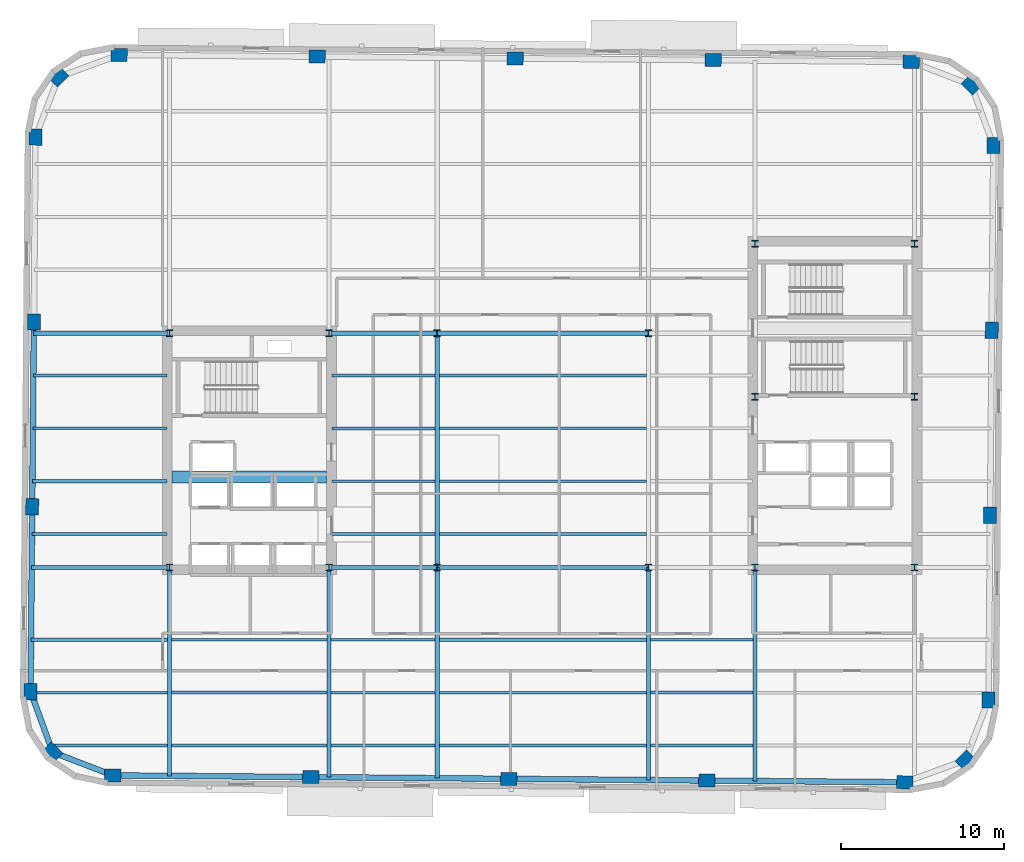
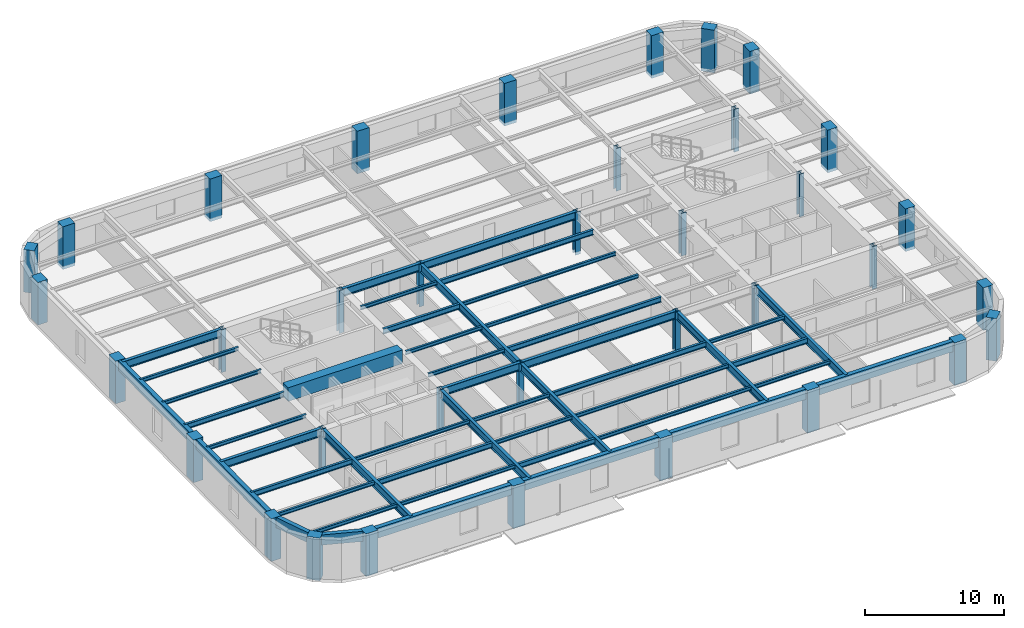
# One storey, part 1 of 11: 48 beams, 36 columns.
"""IFC4 building model written with IfcOpenShell, lengths in metres."""

from ifc_helpers import new_model, si_unit, direction, frame, origin, origin_2d, place, context, subcontext, project, spatial, rectangle, hollow_rectangle, i_section, extrude, material, material_profile, profile_set, type_object, element, save


model = new_model("IFC4")

# Units and contexts
model_context = context("Model", 3, precision=1e-05, world=origin(), true_north=direction((0.0, 1.0)))
body_context = subcontext(model_context, "Body", "Model", "MODEL_VIEW")
ifc_project = project(units=[si_unit("LENGTHUNIT", "METRE"), si_unit("AREAUNIT", "SQUARE_METRE"), si_unit("VOLUMEUNIT", "CUBIC_METRE"), si_unit("PLANEANGLEUNIT", "RADIAN"), si_unit("MASSUNIT", "GRAM", prefix="KILO")], contexts=[model_context])

# Site, building, storey
site_placement = place(None, origin())
site = spatial("IfcSite", under=ifc_project, at=site_placement, CompositionType="ELEMENT")
building_placement = place(site_placement, origin())
building = spatial("IfcBuilding", under=site, at=building_placement, Name="Kolvaren Arena Tower", CompositionType="ELEMENT")
storey_placement = place(building_placement, frame((0.0, 0.0, 173.449951171875)))
storey = spatial("IfcBuildingStorey", under=building, at=storey_placement, Name="L41", CompositionType="ELEMENT", Elevation=173.449951171875)

# Columns
ifc_material_1 = material(Name="Precast concrete C60/75", Category="concrete")
ifc_material_profile_1 = material_profile(ifc_material_1, rectangle(XDim=1.0, YDim=0.800048828125, at=origin_2d()), Name="RC-1000x800")
ifc_profile_set_1 = profile_set([ifc_material_profile_1], Name="Precast concrete C60/75")
column_type_1 = type_object("IfcColumnType", Name="EXCOL-Z3", PredefinedType="COLUMN", material=ifc_profile_set_1)
for number, where, z_axis, x_axis, name in (
    (1, (11.0576171875, 6.663330078125, -0.27001953125), (0.0, 0.0, 1.0), (0.999961923064, -0.008726535498, 0.0), "Exoskeleton Perimeter Column 01 (L41)"),
    (2, (23.232177734375, 6.55712890625, -0.27001953125), (0.0, 0.0, 1.0), (0.999961923064, -0.008726535498, 0.0), "Exoskeleton Perimeter Column 02 (L41)"),
    (3, (35.40673828125, 6.45068359375, -0.27001953125), (0.0, 0.0, 1.0), (0.999961923064, -0.008726535498, 0.0), "Exoskeleton Perimeter Column 03 (L41)"),
    (4, (47.581298828125, 6.344482421875, -0.27001953125), (0.0, 0.0, 1.0), (0.999961923064, -0.008726535498, 0.0), "Exoskeleton Perimeter Column 04 (L41)"),
    (5, (59.755859375, 6.23828125, -0.27001953125), (0.0, 0.0, 1.0), (0.999961923064, -0.008726535498, 0.0), "Exoskeleton Perimeter Column 05 (L41)"),
    (6, (63.4765625, 7.59716796875, -0.27001953125), (0.0, 0.0, 1.0), (0.713250449154, 0.7009092643, 0.0), "Exoskeleton Perimeter Column 06 (L41)"),
    (7, (64.900146484375, 11.293701171875, -0.27001953125), (0.0, 0.0, 1.0), (0.008726535498, 0.999961923064, 0.0), "Exoskeleton Perimeter Column 07 (L41)"),
    (8, (64.999267578125, 22.659912109375, -0.27001953125), (0.0, 0.0, 1.0), (0.008726535498, 0.999961923064, 0.0), "Exoskeleton Perimeter Column 08 (L41)"),
    (9, (65.098388671875, 34.026123046875, -0.27001953125), (0.0, 0.0, 1.0), (0.008726535498, 0.999961923064, 0.0), "Exoskeleton Perimeter Column 09 (L41)"),
    (10, (65.19775390625, 45.392333984375, -0.27001953125), (0.0, 0.0, 1.0), (0.008726535498, 0.999961923064, 0.0), "Exoskeleton Perimeter Column 10 (L41)"),
    (11, (63.8388671875, 49.113037109375, -0.27001953125), (0.0, 0.0, 1.0), (-0.7009092643, 0.713250449154, 0.0), "Exoskeleton Perimeter Column 11 (L41)"),
    (12, (60.142333984375, 50.53662109375, -0.27001953125), (0.0, 0.0, 1.0), (0.999961923064, -0.008726535498, 0.0), "Exoskeleton Perimeter Column 12 (L41)"),
    (13, (47.9677734375, 50.642822265625, -0.27001953125), (0.0, 0.0, 1.0), (0.999961923064, -0.008726535498, 0.0), "Exoskeleton Perimeter Column 13 (L41)"),
    (14, (35.793212890625, 50.749267578125, -0.27001953125), (0.0, 0.0, 1.0), (0.999961923064, -0.008726535498, 0.0), "Exoskeleton Perimeter Column 14 (L41)"),
    (15, (23.618896484375, 50.85546875, -0.27001953125), (0.0, 0.0, 1.0), (0.999961923064, -0.008726535498, 0.0), "Exoskeleton Perimeter Column 15 (L41)"),
    (16, (11.444091796875, 50.961669921875, -0.27001953125), (0.0, 0.0, 1.0), (0.999961923064, -0.008726535498, 0.0), "Exoskeleton Perimeter Column 16 (L41)"),
    (17, (7.723388671875, 49.602783203125, -0.27001953125), (0.0, 0.0, 1.0), (0.713250449154, 0.7009092643, 0.0), "Exoskeleton Perimeter Column 17 (L41)"),
    (18, (6.2998046875, 45.90625, -0.27001953125), (0.0, 0.0, 1.0), (0.008726535498, 0.999961923064, 0.0), "Exoskeleton Perimeter Column 18 (L41)"),
    (19, (6.20068359375, 34.5400390625, -0.27001953125), (0.0, 0.0, 1.0), (0.008726535498, 0.999961923064, 0.0), "Exoskeleton Perimeter Column 19 (L41)"),
    (20, (6.1015625, 23.173828125, -0.27001953125), (0.0, 0.0, 1.0), (0.008726535498, 0.999961923064, 0.0), "Exoskeleton Perimeter Column 20 (L41)"),
    (21, (6.002197265625, 11.8076171875, -0.27001953125), (0.0, 0.0, 1.0), (0.008726535498, 0.999961923064, 0.0), "Exoskeleton Perimeter Column 21 (L41)"),
    (22, (7.361083984375, 8.0869140625, -0.27001953125), (0.0, 0.0, 1.0), (-0.7009092643, 0.713250449154, 0.0), "Exoskeleton Perimeter Column 22 (L41)"),
):
    element("IfcColumn", number, at=place(storey_placement, frame(where, z_axis=z_axis, x_axis=x_axis)), inside=storey, type_object=column_type_1, Name=name, PredefinedType="COLUMN", context=body_context, shape_type="SweptSolid", body=[
        extrude(rectangle(XDim=1.0, YDim=0.800048828125, at=origin_2d()), origin(), (0.0, 0.0, 1.0), 3.75),
    ])
ifc_material_2 = material(Name="Steel ASTM A913 Grade 65", Category="steel")
ifc_material_profile_2 = material_profile(ifc_material_2, i_section(OverallWidth=0.406005859375, OverallDepth=0.416015625, WebThickness=0.02978515625, FlangeThickness=0.048095703125, FilletRadius=0.02001953125, at=origin_2d()), Name="W360x382")
ifc_profile_set_2 = profile_set([ifc_material_profile_2], Name="Steel ASTM A913 Grade 65")
column_type_2 = type_object("IfcColumnType", Name="SCOL-Z3", PredefinedType="COLUMN", material=ifc_profile_set_2)
for number, where, z_axis, x_axis, name in (
    (23, (14.550048828125, 19.449951171875, -0.27001953125), (0.0, 0.0, 1.0), (1.0, 0.0, 0.0), "Core Boundary Column WC-SW (L41)"),
    (24, (24.35009765625, 19.449951171875, -0.27001953125), (0.0, 0.0, 1.0), (1.0, 0.0, 0.0), "Core Boundary Column WC-SE (L41)"),
    (25, (14.550048828125, 33.85009765625, -0.27001953125), (0.0, 0.0, 1.0), (1.0, 0.0, 0.0), "Core Boundary Column WC-NW (L41)"),
    (26, (24.35009765625, 33.85009765625, -0.27001953125), (0.0, 0.0, 1.0), (1.0, 0.0, 0.0), "Core Boundary Column WC-NE (L41)"),
    (27, (50.550048828125, 19.449951171875, -0.27001953125), (0.0, 0.0, 1.0), (1.0, 0.0, 0.0), "Core Boundary Column EC-SW (L41)"),
    (28, (60.35009765625, 19.449951171875, -0.27001953125), (0.0, 0.0, 1.0), (1.0, 0.0, 0.0), "Core Boundary Column EC-SE (L41)"),
    (29, (50.550048828125, 29.949951171875, -0.27001953125), (0.0, 0.0, 1.0), (1.0, 0.0, 0.0), "Core Boundary Column EC-MW (L41)"),
    (30, (60.35009765625, 29.949951171875, -0.27001953125), (0.0, 0.0, 1.0), (1.0, 0.0, 0.0), "Core Boundary Column EC-ME (L41)"),
    (31, (50.550048828125, 39.35009765625, -0.27001953125), (0.0, 0.0, 1.0), (1.0, 0.0, 0.0), "Core Boundary Column EC-NW (L41)"),
    (32, (60.35009765625, 39.35009765625, -0.27001953125), (0.0, 0.0, 1.0), (1.0, 0.0, 0.0), "Core Boundary Column EC-NE (L41)"),
    (33, (31.0, 19.449951171875, -0.27001953125), (0.0, 0.0, 1.0), (1.0, 0.0, 0.0), "Interior Gravity Column TC-SW (L41)"),
    (34, (44.0, 19.449951171875, -0.27001953125), (0.0, 0.0, 1.0), (1.0, 0.0, 0.0), "Interior Gravity Column TC-SE (L41)"),
    (35, (31.0, 33.85009765625, -0.27001953125), (0.0, 0.0, 1.0), (1.0, 0.0, 0.0), "Interior Gravity Column TC-NW (L41)"),
    (36, (44.0, 33.85009765625, -0.27001953125), (0.0, 0.0, 1.0), (1.0, 0.0, 0.0), "Interior Gravity Column TC-NE (L41)"),
):
    element("IfcColumn", number, at=place(storey_placement, frame(where, z_axis=z_axis, x_axis=x_axis)), inside=storey, type_object=column_type_2, Name=name, PredefinedType="COLUMN", context=body_context, shape_type="SweptSolid", body=[
        extrude(i_section(OverallWidth=0.406005859375, OverallDepth=0.416015625, WebThickness=0.02978515625, FlangeThickness=0.048095703125, FilletRadius=0.02001953125, at=origin_2d()), origin(), (0.0, 0.0, 1.0), 3.75),
    ])

# Beams
ifc_material_3 = material(Name="Steel CSA G40.21 350W", Category="steel")
ifc_material_profile_3 = material_profile(ifc_material_3, i_section(OverallWidth=0.193115234375, OverallDepth=0.462890625, WebThickness=0.0107421875, FlangeThickness=0.0205078125, FilletRadius=0.012939453125, at=origin_2d()), Name="W460x113")
ifc_profile_set_3 = profile_set([ifc_material_profile_3], Name="Steel CSA G40.21 350W")
beam_type_1 = type_object("IfcBeamType", Name="BEAM-F2", PredefinedType="BEAM", material=ifc_profile_set_3)
beam_1_placement = place(storey_placement, frame((24.4775390625, 8.5, 3.24853515625), z_axis=(1.0, 0.0, 0.0), x_axis=(0.0, 1.0, 0.0)))
element("IfcBeam", 37, at=beam_1_placement, inside=storey, type_object=beam_type_1, Name="Composite Floor Beam (L41)", PredefinedType="BEAM", context=body_context, shape_type="SweptSolid", body=[
    extrude(i_section(OverallWidth=0.193115234375, OverallDepth=0.462890625, WebThickness=0.0107421875, FlangeThickness=0.0205078125, FilletRadius=0.012939453125, at=origin_2d()), origin(), (0.0, 0.0, 1.0), 6.39501953125),
])
beam_2_placement = place(storey_placement, frame((14.677490234375, 11.75, 3.24853515625), z_axis=(1.0, 0.0, 0.0), x_axis=(0.0, 1.0, 0.0)))
element("IfcBeam", 38, at=beam_2_placement, inside=storey, type_object=beam_type_1, Name="Composite Floor Beam (L41)", PredefinedType="BEAM", context=body_context, shape_type="SweptSolid", body=[
    extrude(i_section(OverallWidth=0.193115234375, OverallDepth=0.462890625, WebThickness=0.0107421875, FlangeThickness=0.0205078125, FilletRadius=0.012939453125, at=origin_2d()), origin(), (0.0, 0.0, 1.0), 9.544921875),
])
beam_3_placement = place(storey_placement, frame((44.12744140625, 11.75, 3.24853515625), z_axis=(1.0, 0.0, 0.0), x_axis=(0.0, 1.0, 0.0)))
element("IfcBeam", 39, at=beam_3_placement, inside=storey, type_object=beam_type_1, Name="Composite Floor Beam (L41)", PredefinedType="BEAM", context=body_context, shape_type="SweptSolid", body=[
    extrude(i_section(OverallWidth=0.193115234375, OverallDepth=0.462890625, WebThickness=0.0107421875, FlangeThickness=0.0205078125, FilletRadius=0.012939453125, at=origin_2d()), origin(), (0.0, 0.0, 1.0), 6.295166015625),
])
beam_4_placement = place(storey_placement, frame((6.0302734375, 15.0, 3.24853515625), z_axis=(1.0, 0.0, 0.0), x_axis=(0.0, 1.0, 0.0)))
element("IfcBeam", 40, at=beam_4_placement, inside=storey, type_object=beam_type_1, Name="Composite Floor Beam (L41)", PredefinedType="BEAM", context=body_context, shape_type="SweptSolid", body=[
    extrude(i_section(OverallWidth=0.193115234375, OverallDepth=0.462890625, WebThickness=0.0107421875, FlangeThickness=0.0205078125, FilletRadius=0.012939453125, at=origin_2d()), origin(), (0.0, 0.0, 1.0), 8.392333984375),
])
for number, where, z_axis, x_axis, name in (
    (41, (31.12744140625, 15.0, 3.24853515625), (1.0, 0.0, 0.0), (0.0, 1.0, 0.0), "Composite Floor Beam (L41)"),
    (42, (31.12744140625, 21.5, 3.24853515625), (1.0, 0.0, 0.0), (0.0, 1.0, 0.0), "Composite Floor Beam (L41)"),
):
    element("IfcBeam", number, at=place(storey_placement, frame(where, z_axis=z_axis, x_axis=x_axis)), inside=storey, type_object=beam_type_1, Name=name, PredefinedType="BEAM", context=body_context, shape_type="SweptSolid", body=[
        extrude(i_section(OverallWidth=0.193115234375, OverallDepth=0.462890625, WebThickness=0.0107421875, FlangeThickness=0.0205078125, FilletRadius=0.012939453125, at=origin_2d()), origin(), (0.0, 0.0, 1.0), 12.7451171875),
    ])
beam_5_placement = place(storey_placement, frame((6.115234375, 24.75, 3.24853515625), z_axis=(1.0, 0.0, 0.0), x_axis=(0.0, 1.0, 0.0)))
element("IfcBeam", 43, at=beam_5_placement, inside=storey, type_object=beam_type_1, Name="Composite Floor Beam (L41)", PredefinedType="BEAM", context=body_context, shape_type="SweptSolid", body=[
    extrude(i_section(OverallWidth=0.193115234375, OverallDepth=0.462890625, WebThickness=0.0107421875, FlangeThickness=0.0205078125, FilletRadius=0.012939453125, at=origin_2d()), origin(), (0.0, 0.0, 1.0), 8.2646484375),
])
beam_6_placement = place(storey_placement, frame((24.52001953125, 28.0, 3.24853515625), z_axis=(1.0, 0.0, 0.0), x_axis=(0.0, 1.0, 0.0)))
element("IfcBeam", 44, at=beam_6_placement, inside=storey, type_object=beam_type_1, Name="Composite Floor Beam (L41)", PredefinedType="BEAM", context=body_context, shape_type="SweptSolid", body=[
    extrude(i_section(OverallWidth=0.193115234375, OverallDepth=0.462890625, WebThickness=0.0107421875, FlangeThickness=0.0205078125, FilletRadius=0.012939453125, at=origin_2d()), origin(), (0.0, 0.0, 1.0), 6.3525390625),
])
beam_7_placement = place(storey_placement, frame((31.12744140625, 31.25, 3.24853515625), z_axis=(1.0, 0.0, 0.0), x_axis=(0.0, 1.0, 0.0)))
element("IfcBeam", 45, at=beam_7_placement, inside=storey, type_object=beam_type_1, Name="Composite Floor Beam (L41)", PredefinedType="BEAM", context=body_context, shape_type="SweptSolid", body=[
    extrude(i_section(OverallWidth=0.193115234375, OverallDepth=0.462890625, WebThickness=0.0107421875, FlangeThickness=0.0205078125, FilletRadius=0.012939453125, at=origin_2d()), origin(), (0.0, 0.0, 1.0), 12.7451171875),
])
ifc_material_4 = material(Name="Concrete 60 MPa", Category="concrete")
ifc_material_profile_4 = material_profile(ifc_material_4, rectangle(XDim=0.75, YDim=1.199951171875, at=origin_2d()), Name="RC-750x1200")
ifc_profile_set_4 = profile_set([ifc_material_profile_4], Name="Concrete 60 MPa")
beam_type_2 = type_object("IfcBeamType", Name="CB-CORE-2", PredefinedType="BEAM", material=ifc_profile_set_4)
beam_8_placement = place(storey_placement, frame((14.699951171875, 25.0, 3.150146484375), z_axis=(1.0, 0.0, 0.0), x_axis=(0.0, 1.0, 0.0)))
element("IfcBeam", 46, at=beam_8_placement, inside=storey, type_object=beam_type_2, Name="West Core Coupling Beam (L41)", PredefinedType="BEAM", context=body_context, shape_type="SweptSolid", body=[
    extrude(rectangle(XDim=0.75, YDim=1.199951171875, at=origin_2d()), origin(), (0.0, 0.0, 1.0), 9.5),
])
ifc_material_profile_5 = material_profile(ifc_material_3, i_section(OverallWidth=0.2548828125, OverallDepth=0.695068359375, WebThickness=0.01708984375, FlangeThickness=0.02978515625, FilletRadius=0.01611328125, at=origin_2d()), Name="W690x217")
ifc_profile_set_5 = profile_set([ifc_material_profile_5], Name="Steel CSA G40.21 350W")
beam_type_3 = type_object("IfcBeamType", Name="GIRD-T2", PredefinedType="BEAM", material=ifc_profile_set_5)
beam_9_placement = place(storey_placement, frame((6.069091796875, 19.449951171875, 3.132568359375), z_axis=(1.0, 0.0, 0.0), x_axis=(0.0, 1.0, 0.0)))
element("IfcBeam", 47, at=beam_9_placement, inside=storey, type_object=beam_type_3, Name="Primary Floor Girder (L41)", PredefinedType="BEAM", context=body_context, shape_type="SweptSolid", body=[
    extrude(i_section(OverallWidth=0.2548828125, OverallDepth=0.695068359375, WebThickness=0.01708984375, FlangeThickness=0.02978515625, FilletRadius=0.01611328125, at=origin_2d()), origin(), (0.0, 0.0, 1.0), 8.350830078125),
])
beam_10_placement = place(storey_placement, frame((24.47998046875, 19.449951171875, 3.132568359375), z_axis=(1.0, 0.0, 0.0), x_axis=(0.0, 1.0, 0.0)))
element("IfcBeam", 48, at=beam_10_placement, inside=storey, type_object=beam_type_3, Name="Primary Floor Girder (L41)", PredefinedType="BEAM", context=body_context, shape_type="SweptSolid", body=[
    extrude(i_section(OverallWidth=0.2548828125, OverallDepth=0.695068359375, WebThickness=0.01708984375, FlangeThickness=0.02978515625, FilletRadius=0.01611328125, at=origin_2d()), origin(), (0.0, 0.0, 1.0), 6.52001953125),
])
beam_11_placement = place(storey_placement, frame((31.0, 19.449951171875, 3.132568359375), z_axis=(1.0, 0.0, 0.0), x_axis=(0.0, 1.0, 0.0)))
element("IfcBeam", 49, at=beam_11_placement, inside=storey, type_object=beam_type_3, Name="Primary Floor Girder (L41)", PredefinedType="BEAM", context=body_context, shape_type="SweptSolid", body=[
    extrude(i_section(OverallWidth=0.2548828125, OverallDepth=0.695068359375, WebThickness=0.01708984375, FlangeThickness=0.02978515625, FilletRadius=0.01611328125, at=origin_2d()), origin(), (0.0, 0.0, 1.0), 13.0),
])
beam_12_placement = place(storey_placement, frame((6.194580078125, 33.85009765625, 3.132568359375), z_axis=(1.0, 0.0, 0.0), x_axis=(0.0, 1.0, 0.0)))
element("IfcBeam", 50, at=beam_12_placement, inside=storey, type_object=beam_type_3, Name="Primary Floor Girder (L41)", PredefinedType="BEAM", context=body_context, shape_type="SweptSolid", body=[
    extrude(i_section(OverallWidth=0.2548828125, OverallDepth=0.695068359375, WebThickness=0.01708984375, FlangeThickness=0.02978515625, FilletRadius=0.01611328125, at=origin_2d()), origin(), (0.0, 0.0, 1.0), 8.225341796875),
])
beam_13_placement = place(storey_placement, frame((24.47998046875, 33.85009765625, 3.132568359375), z_axis=(1.0, 0.0, 0.0), x_axis=(0.0, 1.0, 0.0)))
element("IfcBeam", 51, at=beam_13_placement, inside=storey, type_object=beam_type_3, Name="Primary Floor Girder (L41)", PredefinedType="BEAM", context=body_context, shape_type="SweptSolid", body=[
    extrude(i_section(OverallWidth=0.2548828125, OverallDepth=0.695068359375, WebThickness=0.01708984375, FlangeThickness=0.02978515625, FilletRadius=0.01611328125, at=origin_2d()), origin(), (0.0, 0.0, 1.0), 6.52001953125),
])
beam_14_placement = place(storey_placement, frame((31.0, 33.85009765625, 3.132568359375), z_axis=(1.0, 0.0, 0.0), x_axis=(0.0, 1.0, 0.0)))
element("IfcBeam", 52, at=beam_14_placement, inside=storey, type_object=beam_type_3, Name="Primary Floor Girder (L41)", PredefinedType="BEAM", context=body_context, shape_type="SweptSolid", body=[
    extrude(i_section(OverallWidth=0.2548828125, OverallDepth=0.695068359375, WebThickness=0.01708984375, FlangeThickness=0.02978515625, FilletRadius=0.01611328125, at=origin_2d()), origin(), (0.0, 0.0, 1.0), 13.0),
])
beam_15_placement = place(storey_placement, frame((14.550048828125, 6.6328125, 3.132568359375), z_axis=(0.0, 1.0, 0.0), x_axis=(-1.0, 0.0, 0.0)))
element("IfcBeam", 53, at=beam_15_placement, inside=storey, type_object=beam_type_3, Name="Primary Floor Girder (L41)", PredefinedType="BEAM", context=body_context, shape_type="SweptSolid", body=[
    extrude(i_section(OverallWidth=0.2548828125, OverallDepth=0.695068359375, WebThickness=0.01708984375, FlangeThickness=0.02978515625, FilletRadius=0.01611328125, at=origin_2d()), origin(), (0.0, 0.0, 1.0), 12.687255859375),
])
beam_16_placement = place(storey_placement, frame((24.35009765625, 6.54736328125, 3.132568359375), z_axis=(0.0, 1.0, 0.0), x_axis=(-1.0, 0.0, 0.0)))
element("IfcBeam", 54, at=beam_16_placement, inside=storey, type_object=beam_type_3, Name="Primary Floor Girder (L41)", PredefinedType="BEAM", context=body_context, shape_type="SweptSolid", body=[
    extrude(i_section(OverallWidth=0.2548828125, OverallDepth=0.695068359375, WebThickness=0.01708984375, FlangeThickness=0.02978515625, FilletRadius=0.01611328125, at=origin_2d()), origin(), (0.0, 0.0, 1.0), 12.772705078125),
])
beam_17_placement = place(storey_placement, frame((31.0, 6.4892578125, 3.132568359375), z_axis=(0.0, 1.0, 0.0), x_axis=(-1.0, 0.0, 0.0)))
element("IfcBeam", 55, at=beam_17_placement, inside=storey, type_object=beam_type_3, Name="Primary Floor Girder (L41)", PredefinedType="BEAM", context=body_context, shape_type="SweptSolid", body=[
    extrude(i_section(OverallWidth=0.2548828125, OverallDepth=0.695068359375, WebThickness=0.01708984375, FlangeThickness=0.02978515625, FilletRadius=0.01611328125, at=origin_2d()), origin(), (0.0, 0.0, 1.0), 12.960693359375),
])
beam_18_placement = place(storey_placement, frame((31.0, 19.449951171875, 3.132568359375), z_axis=(0.0, 1.0, 0.0), x_axis=(-1.0, 0.0, 0.0)))
element("IfcBeam", 56, at=beam_18_placement, inside=storey, type_object=beam_type_3, Name="Primary Floor Girder (L41)", PredefinedType="BEAM", context=body_context, shape_type="SweptSolid", body=[
    extrude(i_section(OverallWidth=0.2548828125, OverallDepth=0.695068359375, WebThickness=0.01708984375, FlangeThickness=0.02978515625, FilletRadius=0.01611328125, at=origin_2d()), origin(), (0.0, 0.0, 1.0), 14.400146484375),
])
beam_19_placement = place(storey_placement, frame((44.0, 6.375732421875, 3.132568359375), z_axis=(0.0, 1.0, 0.0), x_axis=(-1.0, 0.0, 0.0)))
element("IfcBeam", 57, at=beam_19_placement, inside=storey, type_object=beam_type_3, Name="Primary Floor Girder (L41)", PredefinedType="BEAM", context=body_context, shape_type="SweptSolid", body=[
    extrude(i_section(OverallWidth=0.2548828125, OverallDepth=0.695068359375, WebThickness=0.01708984375, FlangeThickness=0.02978515625, FilletRadius=0.01611328125, at=origin_2d()), origin(), (0.0, 0.0, 1.0), 13.07421875),
])
beam_20_placement = place(storey_placement, frame((50.550048828125, 6.318603515625, 3.132568359375), z_axis=(0.0, 1.0, 0.0), x_axis=(-1.0, 0.0, 0.0)))
element("IfcBeam", 58, at=beam_20_placement, inside=storey, type_object=beam_type_3, Name="Primary Floor Girder (L41)", PredefinedType="BEAM", context=body_context, shape_type="SweptSolid", body=[
    extrude(i_section(OverallWidth=0.2548828125, OverallDepth=0.695068359375, WebThickness=0.01708984375, FlangeThickness=0.02978515625, FilletRadius=0.01611328125, at=origin_2d()), origin(), (0.0, 0.0, 1.0), 13.00146484375),
])
ifc_material_profile_6 = material_profile(ifc_material_3, i_section(OverallWidth=0.1669921875, OverallDepth=0.31689453125, WebThickness=0.007568359375, FlangeThickness=0.01318359375, FilletRadius=0.010009765625, at=origin_2d()), Name="W310x52")
ifc_profile_set_6 = profile_set([ifc_material_profile_6], Name="Steel CSA G40.21 350W")
beam_type_4 = type_object("IfcBeamType", Name="JOIST-02", PredefinedType="JOIST", material=ifc_profile_set_6)
beam_21_placement = place(storey_placement, frame((7.210205078125, 8.5, 3.321533203125), z_axis=(1.0, 0.0, 0.0), x_axis=(0.0, 1.0, 0.0)))
element("IfcBeam", 59, at=beam_21_placement, inside=storey, type_object=beam_type_4, Name="Composite Floor Joist (L41)", PredefinedType="JOIST", context=body_context, shape_type="SweptSolid", body=[
    extrude(i_section(OverallWidth=0.1669921875, OverallDepth=0.31689453125, WebThickness=0.007568359375, FlangeThickness=0.01318359375, FilletRadius=0.010009765625, at=origin_2d()), origin(), (0.0, 0.0, 1.0), 7.21240234375),
])
beam_22_placement = place(storey_placement, frame((14.677490234375, 8.5, 3.321533203125), z_axis=(1.0, 0.0, 0.0), x_axis=(0.0, 1.0, 0.0)))
element("IfcBeam", 60, at=beam_22_placement, inside=storey, type_object=beam_type_4, Name="Composite Floor Joist (L41)", PredefinedType="JOIST", context=body_context, shape_type="SweptSolid", body=[
    extrude(i_section(OverallWidth=0.1669921875, OverallDepth=0.31689453125, WebThickness=0.007568359375, FlangeThickness=0.01318359375, FilletRadius=0.010009765625, at=origin_2d()), origin(), (0.0, 0.0, 1.0), 9.544921875),
])
beam_23_placement = place(storey_placement, frame((31.12744140625, 8.5, 3.321533203125), z_axis=(1.0, 0.0, 0.0), x_axis=(0.0, 1.0, 0.0)))
element("IfcBeam", 61, at=beam_23_placement, inside=storey, type_object=beam_type_4, Name="Composite Floor Joist (L41)", PredefinedType="JOIST", context=body_context, shape_type="SweptSolid", body=[
    extrude(i_section(OverallWidth=0.1669921875, OverallDepth=0.31689453125, WebThickness=0.007568359375, FlangeThickness=0.01318359375, FilletRadius=0.010009765625, at=origin_2d()), origin(), (0.0, 0.0, 1.0), 12.7451171875),
])
beam_24_placement = place(storey_placement, frame((44.12744140625, 8.5, 3.321533203125), z_axis=(1.0, 0.0, 0.0), x_axis=(0.0, 1.0, 0.0)))
element("IfcBeam", 62, at=beam_24_placement, inside=storey, type_object=beam_type_4, Name="Composite Floor Joist (L41)", PredefinedType="JOIST", context=body_context, shape_type="SweptSolid", body=[
    extrude(i_section(OverallWidth=0.1669921875, OverallDepth=0.31689453125, WebThickness=0.007568359375, FlangeThickness=0.01318359375, FilletRadius=0.010009765625, at=origin_2d()), origin(), (0.0, 0.0, 1.0), 6.295166015625),
])
beam_25_placement = place(storey_placement, frame((6.023193359375, 11.75, 3.321533203125), z_axis=(1.0, 0.0, 0.0), x_axis=(0.0, 1.0, 0.0)))
element("IfcBeam", 63, at=beam_25_placement, inside=storey, type_object=beam_type_4, Name="Composite Floor Joist (L41)", PredefinedType="JOIST", context=body_context, shape_type="SweptSolid", body=[
    extrude(i_section(OverallWidth=0.1669921875, OverallDepth=0.31689453125, WebThickness=0.007568359375, FlangeThickness=0.01318359375, FilletRadius=0.010009765625, at=origin_2d()), origin(), (0.0, 0.0, 1.0), 8.3994140625),
])
beam_26_placement = place(storey_placement, frame((24.4775390625, 11.75, 3.321533203125), z_axis=(1.0, 0.0, 0.0), x_axis=(0.0, 1.0, 0.0)))
element("IfcBeam", 64, at=beam_26_placement, inside=storey, type_object=beam_type_4, Name="Composite Floor Joist (L41)", PredefinedType="JOIST", context=body_context, shape_type="SweptSolid", body=[
    extrude(i_section(OverallWidth=0.1669921875, OverallDepth=0.31689453125, WebThickness=0.007568359375, FlangeThickness=0.01318359375, FilletRadius=0.010009765625, at=origin_2d()), origin(), (0.0, 0.0, 1.0), 6.39501953125),
])
beam_27_placement = place(storey_placement, frame((31.12744140625, 11.75, 3.321533203125), z_axis=(1.0, 0.0, 0.0), x_axis=(0.0, 1.0, 0.0)))
element("IfcBeam", 65, at=beam_27_placement, inside=storey, type_object=beam_type_4, Name="Composite Floor Joist (L41)", PredefinedType="JOIST", context=body_context, shape_type="SweptSolid", body=[
    extrude(i_section(OverallWidth=0.1669921875, OverallDepth=0.31689453125, WebThickness=0.007568359375, FlangeThickness=0.01318359375, FilletRadius=0.010009765625, at=origin_2d()), origin(), (0.0, 0.0, 1.0), 12.7451171875),
])
beam_28_placement = place(storey_placement, frame((14.677490234375, 15.0, 3.321533203125), z_axis=(1.0, 0.0, 0.0), x_axis=(0.0, 1.0, 0.0)))
element("IfcBeam", 66, at=beam_28_placement, inside=storey, type_object=beam_type_4, Name="Composite Floor Joist (L41)", PredefinedType="JOIST", context=body_context, shape_type="SweptSolid", body=[
    extrude(i_section(OverallWidth=0.1669921875, OverallDepth=0.31689453125, WebThickness=0.007568359375, FlangeThickness=0.01318359375, FilletRadius=0.010009765625, at=origin_2d()), origin(), (0.0, 0.0, 1.0), 9.544921875),
])
beam_29_placement = place(storey_placement, frame((24.4775390625, 15.0, 3.321533203125), z_axis=(1.0, 0.0, 0.0), x_axis=(0.0, 1.0, 0.0)))
element("IfcBeam", 67, at=beam_29_placement, inside=storey, type_object=beam_type_4, Name="Composite Floor Joist (L41)", PredefinedType="JOIST", context=body_context, shape_type="SweptSolid", body=[
    extrude(i_section(OverallWidth=0.1669921875, OverallDepth=0.31689453125, WebThickness=0.007568359375, FlangeThickness=0.01318359375, FilletRadius=0.010009765625, at=origin_2d()), origin(), (0.0, 0.0, 1.0), 6.39501953125),
])
beam_30_placement = place(storey_placement, frame((44.12744140625, 15.0, 3.321533203125), z_axis=(1.0, 0.0, 0.0), x_axis=(0.0, 1.0, 0.0)))
element("IfcBeam", 68, at=beam_30_placement, inside=storey, type_object=beam_type_4, Name="Composite Floor Joist (L41)", PredefinedType="JOIST", context=body_context, shape_type="SweptSolid", body=[
    extrude(i_section(OverallWidth=0.1669921875, OverallDepth=0.31689453125, WebThickness=0.007568359375, FlangeThickness=0.01318359375, FilletRadius=0.010009765625, at=origin_2d()), origin(), (0.0, 0.0, 1.0), 6.295166015625),
])
beam_31_placement = place(storey_placement, frame((6.0869140625, 21.5, 3.321533203125), z_axis=(1.0, 0.0, 0.0), x_axis=(0.0, 1.0, 0.0)))
element("IfcBeam", 69, at=beam_31_placement, inside=storey, type_object=beam_type_4, Name="Composite Floor Joist (L41)", PredefinedType="JOIST", context=body_context, shape_type="SweptSolid", body=[
    extrude(i_section(OverallWidth=0.1669921875, OverallDepth=0.31689453125, WebThickness=0.007568359375, FlangeThickness=0.01318359375, FilletRadius=0.010009765625, at=origin_2d()), origin(), (0.0, 0.0, 1.0), 8.29296875),
])
for number, where, z_axis, x_axis, name in (
    (70, (24.52001953125, 21.5, 3.321533203125), (1.0, 0.0, 0.0), (0.0, 1.0, 0.0), "Composite Floor Joist (L41)"),
    (71, (24.52001953125, 24.75, 3.321533203125), (1.0, 0.0, 0.0), (0.0, 1.0, 0.0), "Composite Floor Joist (L41)"),
):
    element("IfcBeam", number, at=place(storey_placement, frame(where, z_axis=z_axis, x_axis=x_axis)), inside=storey, type_object=beam_type_4, Name=name, PredefinedType="JOIST", context=body_context, shape_type="SweptSolid", body=[
        extrude(i_section(OverallWidth=0.1669921875, OverallDepth=0.31689453125, WebThickness=0.007568359375, FlangeThickness=0.01318359375, FilletRadius=0.010009765625, at=origin_2d()), origin(), (0.0, 0.0, 1.0), 6.3525390625),
    ])
beam_32_placement = place(storey_placement, frame((31.12744140625, 24.75, 3.321533203125), z_axis=(1.0, 0.0, 0.0), x_axis=(0.0, 1.0, 0.0)))
element("IfcBeam", 72, at=beam_32_placement, inside=storey, type_object=beam_type_4, Name="Composite Floor Joist (L41)", PredefinedType="JOIST", context=body_context, shape_type="SweptSolid", body=[
    extrude(i_section(OverallWidth=0.1669921875, OverallDepth=0.31689453125, WebThickness=0.007568359375, FlangeThickness=0.01318359375, FilletRadius=0.010009765625, at=origin_2d()), origin(), (0.0, 0.0, 1.0), 12.7451171875),
])
beam_33_placement = place(storey_placement, frame((6.1435546875, 28.0, 3.321533203125), z_axis=(1.0, 0.0, 0.0), x_axis=(0.0, 1.0, 0.0)))
element("IfcBeam", 73, at=beam_33_placement, inside=storey, type_object=beam_type_4, Name="Composite Floor Joist (L41)", PredefinedType="JOIST", context=body_context, shape_type="SweptSolid", body=[
    extrude(i_section(OverallWidth=0.1669921875, OverallDepth=0.31689453125, WebThickness=0.007568359375, FlangeThickness=0.01318359375, FilletRadius=0.010009765625, at=origin_2d()), origin(), (0.0, 0.0, 1.0), 8.236328125),
])
beam_34_placement = place(storey_placement, frame((31.12744140625, 28.0, 3.321533203125), z_axis=(1.0, 0.0, 0.0), x_axis=(0.0, 1.0, 0.0)))
element("IfcBeam", 74, at=beam_34_placement, inside=storey, type_object=beam_type_4, Name="Composite Floor Joist (L41)", PredefinedType="JOIST", context=body_context, shape_type="SweptSolid", body=[
    extrude(i_section(OverallWidth=0.1669921875, OverallDepth=0.31689453125, WebThickness=0.007568359375, FlangeThickness=0.01318359375, FilletRadius=0.010009765625, at=origin_2d()), origin(), (0.0, 0.0, 1.0), 12.7451171875),
])
beam_35_placement = place(storey_placement, frame((6.172119140625, 31.25, 3.321533203125), z_axis=(1.0, 0.0, 0.0), x_axis=(0.0, 1.0, 0.0)))
element("IfcBeam", 75, at=beam_35_placement, inside=storey, type_object=beam_type_4, Name="Composite Floor Joist (L41)", PredefinedType="JOIST", context=body_context, shape_type="SweptSolid", body=[
    extrude(i_section(OverallWidth=0.1669921875, OverallDepth=0.31689453125, WebThickness=0.007568359375, FlangeThickness=0.01318359375, FilletRadius=0.010009765625, at=origin_2d()), origin(), (0.0, 0.0, 1.0), 8.207763671875),
])
beam_36_placement = place(storey_placement, frame((24.52001953125, 31.25, 3.321533203125), z_axis=(1.0, 0.0, 0.0), x_axis=(0.0, 1.0, 0.0)))
element("IfcBeam", 76, at=beam_36_placement, inside=storey, type_object=beam_type_4, Name="Composite Floor Joist (L41)", PredefinedType="JOIST", context=body_context, shape_type="SweptSolid", body=[
    extrude(i_section(OverallWidth=0.1669921875, OverallDepth=0.31689453125, WebThickness=0.007568359375, FlangeThickness=0.01318359375, FilletRadius=0.010009765625, at=origin_2d()), origin(), (0.0, 0.0, 1.0), 6.3525390625),
])
ifc_material_5 = material(Name="Steel CSA G40.21 350WT", Category="steel")
ifc_material_profile_7 = material_profile(ifc_material_5, hollow_rectangle(XDim=0.35009765625, YDim=0.89990234375, WallThickness=0.02001953125, at=origin_2d()), Name="HSS 900x350x20")
ifc_profile_set_7 = profile_set([ifc_material_profile_7], Name="Steel CSA G40.21 350WT")
beam_type_5 = type_object("IfcBeamType", Name="SPAND-01", PredefinedType="SPANDREL", material=ifc_profile_set_7)
for number, where, z_axis, x_axis, name in (
    (77, (11.0576171875, 6.663330078125, 3.030029296875), (0.99996195503, -0.008722871848, 0.0), (0.008722871848, 0.99996195503, 0.0), "Perimeter Spandrel Beam (L41)"),
    (78, (23.232177734375, 6.55712890625, 3.030029296875), (0.999961779919, -0.008742922896, 0.0), (0.008742922896, 0.999961779919, 0.0), "Perimeter Spandrel Beam (L41)"),
    (79, (35.40673828125, 6.45068359375, 3.030029296875), (0.99996195503, -0.008722871848, 0.0), (0.008722871848, 0.99996195503, 0.0), "Perimeter Spandrel Beam (L41)"),
    (80, (47.581298828125, 6.344482421875, 3.030029296875), (0.99996195503, -0.008722871848, 0.0), (0.008722871848, 0.99996195503, 0.0), "Perimeter Spandrel Beam (L41)"),
):
    element("IfcBeam", number, at=place(storey_placement, frame(where, z_axis=z_axis, x_axis=x_axis)), inside=storey, type_object=beam_type_5, Name=name, PredefinedType="SPANDREL", context=body_context, shape_type="SweptSolid", body=[
        extrude(hollow_rectangle(XDim=0.35009765625, YDim=0.89990234375, WallThickness=0.02001953125, at=origin_2d()), origin(), (0.0, 0.0, 1.0), 12.175048828125),
    ])
for number, where, z_axis, x_axis, name in (
    (81, (6.20068359375, 34.5400390625, 3.030029296875), (-0.008720348885, -0.999961977035, 0.0), (0.999961977035, -0.008720348885, 0.0), "Perimeter Spandrel Beam (L41)"),
    (82, (6.1015625, 23.173828125, 3.030029296875), (-0.008741825937, -0.99996178951, 0.0), (0.99996178951, -0.008741825937, 0.0), "Perimeter Spandrel Beam (L41)"),
):
    element("IfcBeam", number, at=place(storey_placement, frame(where, z_axis=z_axis, x_axis=x_axis)), inside=storey, type_object=beam_type_5, Name=name, PredefinedType="SPANDREL", context=body_context, shape_type="SweptSolid", body=[
        extrude(hollow_rectangle(XDim=0.35009765625, YDim=0.89990234375, WallThickness=0.02001953125, at=origin_2d()), origin(), (0.0, 0.0, 1.0), 11.36669921875),
    ])
for number, where, z_axis, x_axis, name in (
    (83, (6.002197265625, 11.8076171875, 3.030029296875), (0.343059102458, -0.939313819882, 0.0), (0.939313819882, 0.343059102458, 0.0), "Perimeter Spandrel Beam (L41)"),
    (84, (7.361083984375, 8.0869140625, 3.030029296875), (0.933189846698, -0.359383792094, 0.0), (0.359383792094, 0.933189846698, 0.0), "Perimeter Spandrel Beam (L41)"),
):
    element("IfcBeam", number, at=place(storey_placement, frame(where, z_axis=z_axis, x_axis=x_axis)), inside=storey, type_object=beam_type_5, Name=name, PredefinedType="SPANDREL", context=body_context, shape_type="SweptSolid", body=[
        extrude(hollow_rectangle(XDim=0.35009765625, YDim=0.89990234375, WallThickness=0.02001953125, at=origin_2d()), origin(), (0.0, 0.0, 1.0), 3.961181640625),
    ])

save(model, "model.ifc")
